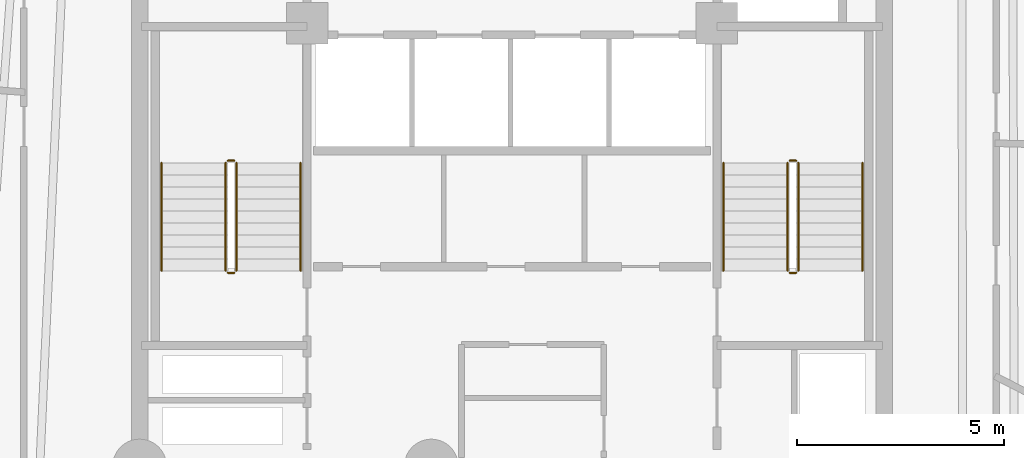
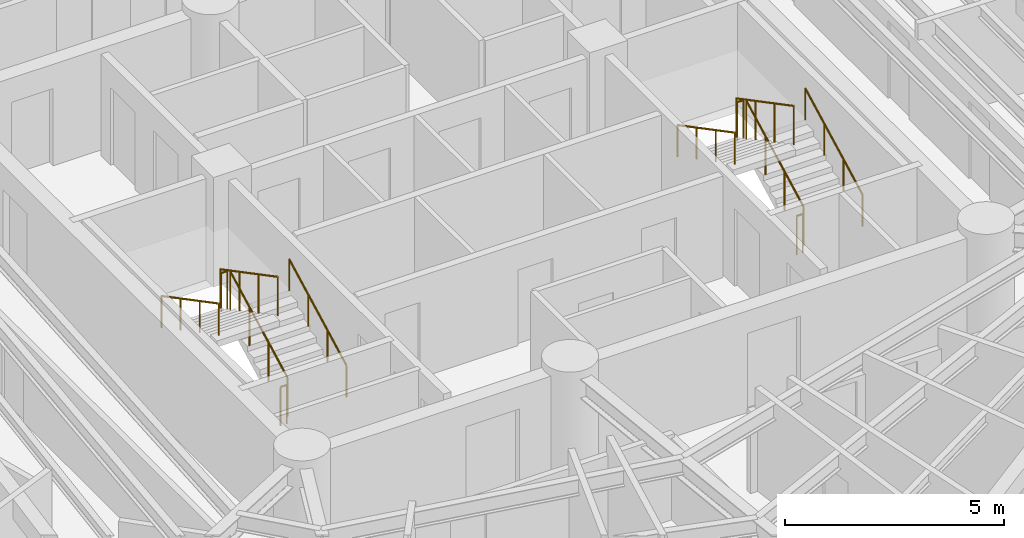
# One storey, part 8 of 8: 12 railings.
"""IFC4 building model written with IfcOpenShell, lengths in metres."""

from ifc_helpers import new_model, si_unit, direction, frame, origin, origin_2d, place, context, subcontext, project, spatial, circle, extrude, material, layer, layer_set, type_object, element, save


model = new_model("IFC4")

# Units and contexts
model_context = context("Model", 3, precision=1e-05, world=origin(), true_north=direction((0.0, 1.0)))
body_context = subcontext(model_context, "Body", "Model", "MODEL_VIEW")
ifc_project = project(units=[si_unit("LENGTHUNIT", "METRE"), si_unit("AREAUNIT", "SQUARE_METRE"), si_unit("VOLUMEUNIT", "CUBIC_METRE"), si_unit("PLANEANGLEUNIT", "RADIAN"), si_unit("MASSUNIT", "GRAM", prefix="KILO")], contexts=[model_context])

# Site, building, storey
site_placement = place(None, origin())
site = spatial("IfcSite", under=ifc_project, at=site_placement, CompositionType="ELEMENT")
building_placement = place(site_placement, origin())
building = spatial("IfcBuilding", under=site, at=building_placement, Name="Karkom Vertical University and Central Library", CompositionType="ELEMENT")
storey_placement = place(building_placement, frame((0.0, 0.0, 159.60009765625)))
storey = spatial("IfcBuildingStorey", under=building, at=storey_placement, Name="L45", CompositionType="ELEMENT", Elevation=159.60009765625)

# Railings
ifc_material_1 = material(Name="Painted galvanised steel balustrade", Category="steel")
ifc_layer_1 = layer(ifc_material_1, 0.06005859375)
ifc_layer_set_1 = layer_set([ifc_layer_1], Name="Painted galvanised steel balustrade")
railing_type_1 = type_object("IfcRailingType", Name="INT-RL-GUARD1100", PredefinedType="GUARDRAIL", material=ifc_layer_set_1)
railing_1_placement = place(storey_placement, frame((21.840087890625, 23.02001953125, 0.15234375)))
element("IfcRailing", 1, at=railing_1_placement, inside=storey, type_object=railing_type_1, Name="Level 45 ST-1 stair guard 1", PredefinedType="GUARDRAIL", context=body_context, shape_type="SweptSolid", body=[
    extrude(circle(Radius=0.02392578125, at=origin_2d()), frame((0.0, 0.0, 1.076171875), z_axis=(0.0, 0.885065446896, 0.46546659892), x_axis=(-1.0, 0.0, 0.0)), (0.0, 0.0, 1.0), 2.94873046875),
    extrude(circle(Radius=0.02099609375, at=origin_2d()), origin(), (0.0, 0.0, 1.0), 1.052001953125),
    extrude(circle(Radius=0.02099609375, at=origin_2d()), frame((0.0, 0.869873046875, 0.45751953125)), (0.0, 0.0, 1.0), 1.052001953125),
    extrude(circle(Radius=0.02099609375, at=origin_2d()), frame((0.0, 1.739990234375, 0.9150390625)), (0.0, 0.0, 1.0), 1.052001953125),
    extrude(circle(Radius=0.02099609375, at=origin_2d()), frame((0.0, 2.60986328125, 1.37255859375)), (0.0, 0.0, 1.0), 1.052001953125),
])
railing_2_placement = place(storey_placement, frame((21.7900390625, 25.679931640625, 1.52490234375)))
element("IfcRailing", 2, at=railing_2_placement, inside=storey, type_object=railing_type_1, Name="Level 45 ST-1 stair guard 2", PredefinedType="GUARDRAIL", context=body_context, shape_type="SweptSolid", body=[
    extrude(circle(Radius=0.02392578125, at=origin_2d()), frame((0.0, 0.0, 1.076171875), z_axis=(-1.0, 0.0, 0.0), x_axis=(0.0, -1.0, 0.0)), (0.0, 0.0, 1.0), 0.16015625),
    extrude(circle(Radius=0.02099609375, at=origin_2d()), origin(), (0.0, 0.0, 1.0), 1.052001953125),
    extrude(circle(Radius=0.02099609375, at=origin_2d()), frame((-0.16015625, 0.0, 0.0)), (0.0, 0.0, 1.0), 1.052001953125),
])
railing_3_placement = place(storey_placement, frame((21.580078125, 25.6298828125, 1.677490234375)))
element("IfcRailing", 3, at=railing_3_placement, inside=storey, type_object=railing_type_1, Name="Level 45 ST-1 stair guard 3", PredefinedType="GUARDRAIL", context=body_context, shape_type="SweptSolid", body=[
    extrude(circle(Radius=0.02392578125, at=origin_2d()), frame((0.0, 0.0, 1.076171875), z_axis=(0.0, -0.885099554253, 0.465401739426), x_axis=(1.0, 0.0, 0.0)), (0.0, 0.0, 1.0), 2.94873046875),
    extrude(circle(Radius=0.02099609375, at=origin_2d()), origin(), (0.0, 0.0, 1.0), 1.052001953125),
    extrude(circle(Radius=0.02099609375, at=origin_2d()), frame((0.0, -0.869873046875, 0.45751953125)), (0.0, 0.0, 1.0), 1.052001953125),
    extrude(circle(Radius=0.02099609375, at=origin_2d()), frame((0.0, -1.739990234375, 0.914794921875)), (0.0, 0.0, 1.0), 1.052001953125),
    extrude(circle(Radius=0.02099609375, at=origin_2d()), frame((0.0, -2.60986328125, 1.372314453125)), (0.0, 0.0, 1.0), 1.052001953125),
])
railing_4_placement = place(storey_placement, frame((21.7900390625, 22.969970703125, 0.0)))
element("IfcRailing", 4, at=railing_4_placement, inside=storey, type_object=railing_type_1, Name="Level 45 ST-1 stair guard 4", PredefinedType="GUARDRAIL", context=body_context, shape_type="SweptSolid", body=[
    extrude(circle(Radius=0.02392578125, at=origin_2d()), frame((0.0, 0.0, 1.076171875), z_axis=(-1.0, 0.0, 0.0), x_axis=(0.0, -1.0, 0.0)), (0.0, 0.0, 1.0), 0.16015625),
    extrude(circle(Radius=0.02099609375, at=origin_2d()), origin(), (0.0, 0.0, 1.0), 1.052001953125),
    extrude(circle(Radius=0.02099609375, at=origin_2d()), frame((-0.16015625, 0.0, 0.0)), (0.0, 0.0, 1.0), 1.052001953125),
])
railing_5_placement = place(storey_placement, frame((35.419921875, 23.02001953125, 0.15234375)))
element("IfcRailing", 5, at=railing_5_placement, inside=storey, type_object=railing_type_1, Name="Level 45 ST-2 stair guard 1", PredefinedType="GUARDRAIL", context=body_context, shape_type="SweptSolid", body=[
    extrude(circle(Radius=0.02392578125, at=origin_2d()), frame((0.0, 0.0, 1.076171875), z_axis=(0.0, 0.885065446896, 0.46546659892), x_axis=(-1.0, 0.0, 0.0)), (0.0, 0.0, 1.0), 2.94873046875),
    extrude(circle(Radius=0.02099609375, at=origin_2d()), origin(), (0.0, 0.0, 1.0), 1.052001953125),
    extrude(circle(Radius=0.02099609375, at=origin_2d()), frame((0.0, 0.869873046875, 0.45751953125)), (0.0, 0.0, 1.0), 1.052001953125),
    extrude(circle(Radius=0.02099609375, at=origin_2d()), frame((0.0, 1.739990234375, 0.9150390625)), (0.0, 0.0, 1.0), 1.052001953125),
    extrude(circle(Radius=0.02099609375, at=origin_2d()), frame((0.0, 2.60986328125, 1.37255859375)), (0.0, 0.0, 1.0), 1.052001953125),
])
railing_6_placement = place(storey_placement, frame((35.3701171875, 25.679931640625, 1.52490234375)))
element("IfcRailing", 6, at=railing_6_placement, inside=storey, type_object=railing_type_1, Name="Level 45 ST-2 stair guard 2", PredefinedType="GUARDRAIL", context=body_context, shape_type="SweptSolid", body=[
    extrude(circle(Radius=0.02392578125, at=origin_2d()), frame((0.0, 0.0, 1.076171875), z_axis=(-1.0, 0.0, 0.0), x_axis=(0.0, -1.0, 0.0)), (0.0, 0.0, 1.0), 0.16015625),
    extrude(circle(Radius=0.02099609375, at=origin_2d()), origin(), (0.0, 0.0, 1.0), 1.052001953125),
    extrude(circle(Radius=0.02099609375, at=origin_2d()), frame((-0.16015625, 0.0, 0.0)), (0.0, 0.0, 1.0), 1.052001953125),
])
railing_7_placement = place(storey_placement, frame((35.159912109375, 25.6298828125, 1.677490234375)))
element("IfcRailing", 7, at=railing_7_placement, inside=storey, type_object=railing_type_1, Name="Level 45 ST-2 stair guard 3", PredefinedType="GUARDRAIL", context=body_context, shape_type="SweptSolid", body=[
    extrude(circle(Radius=0.02392578125, at=origin_2d()), frame((0.0, 0.0, 1.076171875), z_axis=(0.0, -0.885099554253, 0.465401739426), x_axis=(1.0, 0.0, 0.0)), (0.0, 0.0, 1.0), 2.94873046875),
    extrude(circle(Radius=0.02099609375, at=origin_2d()), origin(), (0.0, 0.0, 1.0), 1.052001953125),
    extrude(circle(Radius=0.02099609375, at=origin_2d()), frame((0.0, -0.869873046875, 0.45751953125)), (0.0, 0.0, 1.0), 1.052001953125),
    extrude(circle(Radius=0.02099609375, at=origin_2d()), frame((0.0, -1.739990234375, 0.914794921875)), (0.0, 0.0, 1.0), 1.052001953125),
    extrude(circle(Radius=0.02099609375, at=origin_2d()), frame((0.0, -2.60986328125, 1.372314453125)), (0.0, 0.0, 1.0), 1.052001953125),
])
railing_8_placement = place(storey_placement, frame((35.3701171875, 22.969970703125, 0.0)))
element("IfcRailing", 8, at=railing_8_placement, inside=storey, type_object=railing_type_1, Name="Level 45 ST-2 stair guard 4", PredefinedType="GUARDRAIL", context=body_context, shape_type="SweptSolid", body=[
    extrude(circle(Radius=0.02392578125, at=origin_2d()), frame((0.0, 0.0, 1.076171875), z_axis=(-1.0, 0.0, 0.0), x_axis=(0.0, -1.0, 0.0)), (0.0, 0.0, 1.0), 0.16015625),
    extrude(circle(Radius=0.02099609375, at=origin_2d()), origin(), (0.0, 0.0, 1.0), 1.052001953125),
    extrude(circle(Radius=0.02099609375, at=origin_2d()), frame((-0.16015625, 0.0, 0.0)), (0.0, 0.0, 1.0), 1.052001953125),
])
ifc_material_2 = material(Name="Brushed stainless-steel tubular handrail", Category="steel")
ifc_layer_2 = layer(ifc_material_2, 0.048095703125)
ifc_layer_set_2 = layer_set([ifc_layer_2], Name="Brushed stainless-steel tubular handrail")
railing_type_2 = type_object("IfcRailingType", Name="INT-RL-HAND920", PredefinedType="HANDRAIL", material=ifc_layer_set_2)
railing_9_placement = place(storey_placement, frame((23.389892578125, 23.02001953125, 0.15234375)))
element("IfcRailing", 9, at=railing_9_placement, inside=storey, type_object=railing_type_2, Name="Level 45 ST-1 stair handrail 1", PredefinedType="HANDRAIL", context=body_context, shape_type="SweptSolid", body=[
    extrude(circle(Radius=0.02392578125, at=origin_2d()), frame((0.0, 0.0, 0.8759765625), z_axis=(0.0, 0.885065446896, 0.46546659892), x_axis=(-1.0, 0.0, 0.0)), (0.0, 0.0, 1.0), 2.94873046875),
    extrude(circle(Radius=0.02099609375, at=origin_2d()), origin(), (0.0, 0.0, 1.0), 0.851806640625),
    extrude(circle(Radius=0.02099609375, at=origin_2d()), frame((0.0, 0.869873046875, 0.45751953125)), (0.0, 0.0, 1.0), 0.851806640625),
    extrude(circle(Radius=0.02099609375, at=origin_2d()), frame((0.0, 1.739990234375, 0.9150390625)), (0.0, 0.0, 1.0), 0.851806640625),
    extrude(circle(Radius=0.02099609375, at=origin_2d()), frame((0.0, 2.60986328125, 1.37255859375)), (0.0, 0.0, 1.0), 0.851806640625),
])
railing_10_placement = place(storey_placement, frame((20.030029296875, 25.6298828125, 1.677490234375)))
element("IfcRailing", 10, at=railing_10_placement, inside=storey, type_object=railing_type_2, Name="Level 45 ST-1 stair handrail 2", PredefinedType="HANDRAIL", context=body_context, shape_type="SweptSolid", body=[
    extrude(circle(Radius=0.02392578125, at=origin_2d()), frame((0.0, 0.0, 0.8759765625), z_axis=(0.0, -0.885099554253, 0.465401739426), x_axis=(1.0, 0.0, 0.0)), (0.0, 0.0, 1.0), 2.94873046875),
    extrude(circle(Radius=0.02099609375, at=origin_2d()), origin(), (0.0, 0.0, 1.0), 0.851806640625),
    extrude(circle(Radius=0.02099609375, at=origin_2d()), frame((0.0, -0.869873046875, 0.45751953125)), (0.0, 0.0, 1.0), 0.851806640625),
    extrude(circle(Radius=0.02099609375, at=origin_2d()), frame((0.0, -1.739990234375, 0.914794921875)), (0.0, 0.0, 1.0), 0.851806640625),
    extrude(circle(Radius=0.02099609375, at=origin_2d()), frame((0.0, -2.60986328125, 1.372314453125)), (0.0, 0.0, 1.0), 0.851806640625),
])
railing_11_placement = place(storey_placement, frame((36.969970703125, 23.02001953125, 0.15234375)))
element("IfcRailing", 11, at=railing_11_placement, inside=storey, type_object=railing_type_2, Name="Level 45 ST-2 stair handrail 1", PredefinedType="HANDRAIL", context=body_context, shape_type="SweptSolid", body=[
    extrude(circle(Radius=0.02392578125, at=origin_2d()), frame((0.0, 0.0, 0.8759765625), z_axis=(0.0, 0.885065446896, 0.46546659892), x_axis=(-1.0, 0.0, 0.0)), (0.0, 0.0, 1.0), 2.94873046875),
    extrude(circle(Radius=0.02099609375, at=origin_2d()), origin(), (0.0, 0.0, 1.0), 0.851806640625),
    extrude(circle(Radius=0.02099609375, at=origin_2d()), frame((0.0, 0.869873046875, 0.45751953125)), (0.0, 0.0, 1.0), 0.851806640625),
    extrude(circle(Radius=0.02099609375, at=origin_2d()), frame((0.0, 1.739990234375, 0.9150390625)), (0.0, 0.0, 1.0), 0.851806640625),
    extrude(circle(Radius=0.02099609375, at=origin_2d()), frame((0.0, 2.60986328125, 1.37255859375)), (0.0, 0.0, 1.0), 0.851806640625),
])
railing_12_placement = place(storey_placement, frame((33.610107421875, 25.6298828125, 1.677490234375)))
element("IfcRailing", 12, at=railing_12_placement, inside=storey, type_object=railing_type_2, Name="Level 45 ST-2 stair handrail 2", PredefinedType="HANDRAIL", context=body_context, shape_type="SweptSolid", body=[
    extrude(circle(Radius=0.02392578125, at=origin_2d()), frame((0.0, 0.0, 0.8759765625), z_axis=(0.0, -0.885099554253, 0.465401739426), x_axis=(1.0, 0.0, 0.0)), (0.0, 0.0, 1.0), 2.94873046875),
    extrude(circle(Radius=0.02099609375, at=origin_2d()), origin(), (0.0, 0.0, 1.0), 0.851806640625),
    extrude(circle(Radius=0.02099609375, at=origin_2d()), frame((0.0, -0.869873046875, 0.45751953125)), (0.0, 0.0, 1.0), 0.851806640625),
    extrude(circle(Radius=0.02099609375, at=origin_2d()), frame((0.0, -1.739990234375, 0.914794921875)), (0.0, 0.0, 1.0), 0.851806640625),
    extrude(circle(Radius=0.02099609375, at=origin_2d()), frame((0.0, -2.60986328125, 1.372314453125)), (0.0, 0.0, 1.0), 0.851806640625),
])

save(model, "model.ifc")
